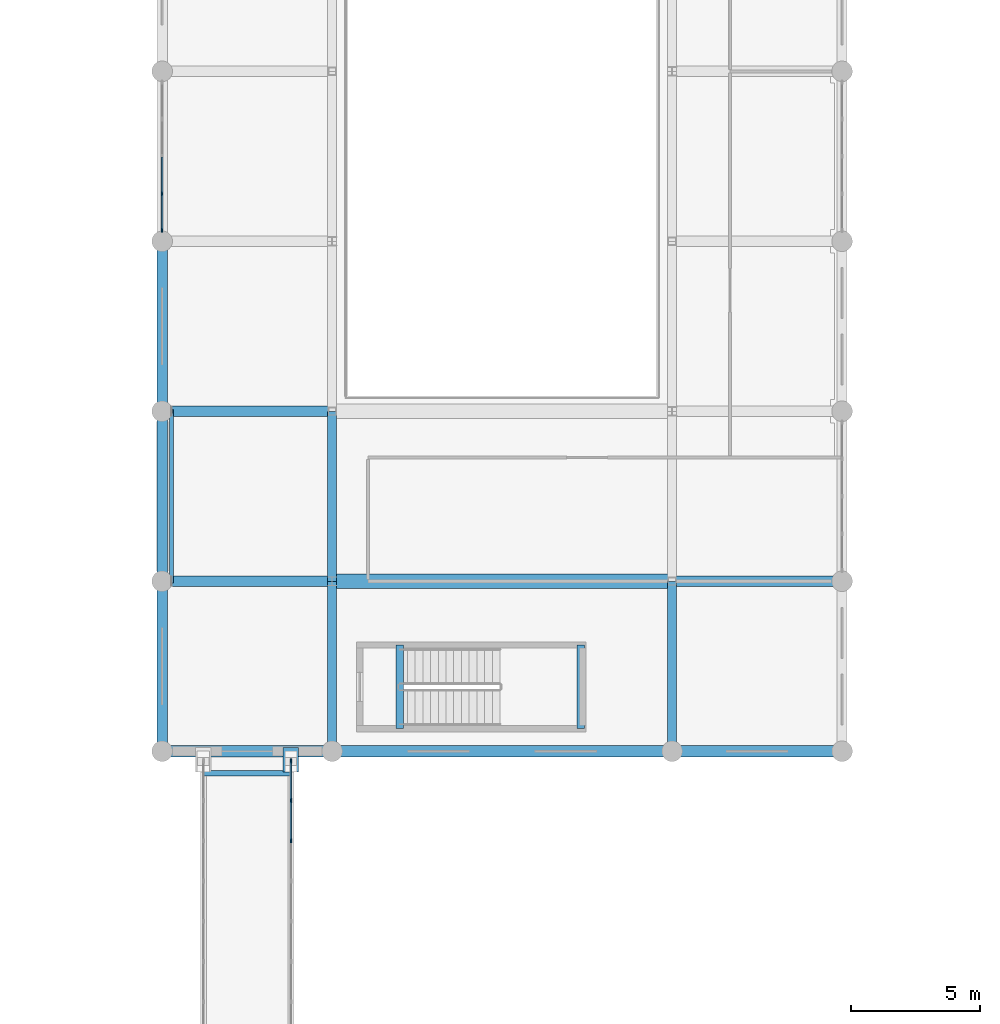
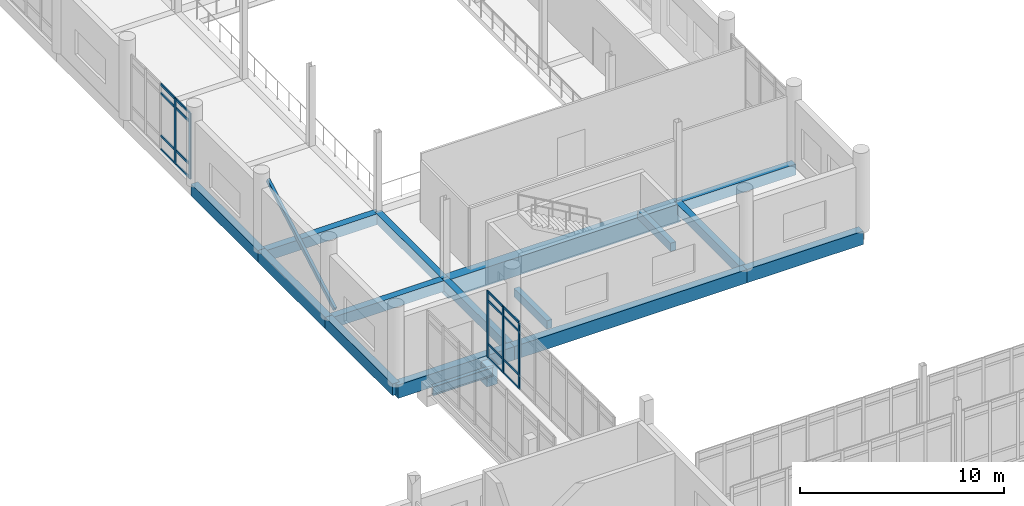
# One storey, part 13 of 101: 22 members, 17 beams, 2 elements without a shape of their own.
"""IFC4 building model written with IfcOpenShell, lengths in metres."""

import ifcopenshell
import ifcopenshell.guid

model = None  # the IFC model being written
_history = None  # IfcOwnerHistory: only IFC2X3 demands one
_inside = {}  # id of a spatial element -> (the spatial element, [elements in it])
_under = {}  # id of a project, library or spatial element -> (it, [spatial elements below it])
_declared = {}  # id of a project -> (the project, [libraries it declares])
_typed = {}  # id of a type object -> (the type object, [elements of that type])
_made_of = {}  # id of a material, layer set ... -> (it, [elements and type objects made of it])


def new_model(schema):
    """Start an empty IFC model of exactly this schema.

    Asked for "IFC4X3", IfcOpenShell would pick the latest addendum, in which some entities
    have other attributes; the version numbers below select the first issue.
    IFC2X3 requires an IfcOwnerHistory on every rooted entity: one is made here for all.
    """
    global model, _history
    if schema == "IFC4X3":
        model = ifcopenshell.file(schema_version=(4, 3, 0, 0))
    else:
        model = ifcopenshell.file(schema=schema)
    _inside.clear()
    _under.clear()
    _declared.clear()
    _typed.clear()
    _made_of.clear()
    _history = None
    if model.schema == "IFC2X3":
        org = make("IfcOrganization", Name="unknown")
        user = make(
            "IfcPersonAndOrganization",
            ThePerson=make("IfcPerson", FamilyName="unknown"),
            TheOrganization=org,
        )
        app = make(
            "IfcApplication",
            ApplicationDeveloper=org,
            Version="unknown",
            ApplicationFullName="unknown",
            ApplicationIdentifier="unknown",
        )
        _history = make(
            "IfcOwnerHistory",
            OwningUser=user,
            OwningApplication=app,
            ChangeAction="ADDED",
            CreationDate=0,
        )
    return model


def make(cls, **values):
    """One entity of the class cls with the attributes given. An attribute that is None is left unset."""
    return model.create_entity(
        cls, **{name: value for name, value in values.items() if value is not None}
    )


def rooted(cls, **values):
    """An entity with a GlobalId (a new one), such as an element, a storey or a relation."""
    return make(cls, GlobalId=ifcopenshell.guid.new(), OwnerHistory=_history, **values)


def si_unit(unit_type, name, prefix=None):
    """IfcSIUnit, for example si_unit("LENGTHUNIT", "METRE", prefix="MILLI")."""
    return make("IfcSIUnit", UnitType=unit_type, Prefix=prefix, Name=name)


def assignment(units):
    """IfcUnitAssignment: the units of a project."""
    return None if units is None else make("IfcUnitAssignment", Units=units)


def point(xyz):
    """IfcCartesianPoint."""
    return None if xyz is None else make("IfcCartesianPoint", Coordinates=xyz)


def direction(xyz):
    """IfcDirection."""
    return None if xyz is None else make("IfcDirection", DirectionRatios=xyz)


def frame(location, z_axis=None, x_axis=None):
    """IfcAxis2Placement3D, a coordinate frame: its origin and axes. An axis left out is left unset."""
    return make(
        "IfcAxis2Placement3D",
        Location=point(location),
        Axis=direction(z_axis),
        RefDirection=direction(x_axis),
    )


def frame_2d(location, x_axis=None):
    """IfcAxis2Placement2D, a coordinate frame in the plane: its origin and x axis."""
    return make(
        "IfcAxis2Placement2D", Location=point(location), RefDirection=direction(x_axis)
    )


def origin():
    """The frame at (0, 0, 0) with its axes left unset."""
    return frame((0.0, 0.0, 0.0))


def origin_2d():
    """The frame at (0, 0) in the plane with its x axis left unset."""
    return frame_2d((0.0, 0.0))


def place(relative_to, where):
    """IfcLocalPlacement: puts the frame where relative to a parent placement (None: the world)."""
    return make(
        "IfcLocalPlacement", PlacementRelTo=relative_to, RelativePlacement=where
    )


def context(
    kind, dimensions, precision=None, world=None, true_north=None, identifier=None
):
    """IfcGeometricRepresentationContext, for example the 3D "Model" context."""
    return make(
        "IfcGeometricRepresentationContext",
        ContextIdentifier=identifier,
        ContextType=kind,
        CoordinateSpaceDimension=dimensions,
        Precision=precision,
        WorldCoordinateSystem=world,
        TrueNorth=true_north,
    )


def subcontext(parent, identifier, kind, view, scale=None):
    """IfcGeometricRepresentationSubContext, for example "Body" below "Model"."""
    return make(
        "IfcGeometricRepresentationSubContext",
        ContextIdentifier=identifier,
        ContextType=kind,
        ParentContext=parent,
        TargetScale=scale,
        TargetView=view,
    )


def project(units=None, contexts=None):
    """IfcProject with its units and contexts."""
    return rooted(
        "IfcProject",
        Name="project",
        RepresentationContexts=contexts,
        UnitsInContext=assignment(units),
    )


def spatial(cls, under=None, at=None, **own):
    """A site, building, storey or space (cls), placed at a placement, below another one or the project."""
    s = rooted(cls, ObjectPlacement=at, **own)
    if under is not None:
        _under.setdefault(under.id(), (under, []))[1].append(s)
    return s


def profile(cls, at=None, kind="AREA", **sizes):
    """A parametric profile (cls). Its sizes go by their IFC names, for example OverallWidth=200.0."""
    return make(cls, ProfileType=kind, Position=at, **sizes)


def rectangle(**sizes):
    """IfcRectangleProfileDef."""
    return profile("IfcRectangleProfileDef", **sizes)


def hollow_rectangle(**sizes):
    """IfcRectangleHollowProfileDef."""
    return profile("IfcRectangleHollowProfileDef", **sizes)


def i_section(**sizes):
    """IfcIShapeProfileDef."""
    return profile("IfcIShapeProfileDef", **sizes)


def extrude(swept, where, along, depth):
    """IfcExtrudedAreaSolid: the profile swept, set in the frame where, extruded along a direction by depth."""
    return make(
        "IfcExtrudedAreaSolid",
        SweptArea=swept,
        Position=where,
        ExtrudedDirection=direction(along),
        Depth=depth,
    )


def shape(context_of_items, identifier, shape_type, items):
    """IfcShapeRepresentation: the items that make up one representation, for example the "Body"."""
    return make(
        "IfcShapeRepresentation",
        ContextOfItems=context_of_items,
        RepresentationIdentifier=identifier,
        RepresentationType=shape_type,
        Items=items,
    )


def material(Name=None, Category=None):
    """IfcMaterial."""
    return make("IfcMaterial", Name=Name, Category=Category)


def material_profile(
    of_material, cross_section, Name=None, Category=None, Priority=None
):
    """IfcMaterialProfile: a cross section and its material."""
    return make(
        "IfcMaterialProfile",
        Name=Name,
        Material=of_material,
        Profile=cross_section,
        Priority=Priority,
        Category=Category,
    )


def profile_set(profiles, Name=None, composite=None):
    """IfcMaterialProfileSet."""
    return make(
        "IfcMaterialProfileSet",
        Name=Name,
        MaterialProfiles=profiles,
        CompositeProfile=composite,
    )


def made_of(thing, what):
    """Note that an element or type object is made of a material, layer set ...; save() writes the relation."""
    if what is not None:
        _made_of.setdefault(what.id(), (what, []))[1].append(thing)
    return thing


def type_object(cls, material=None, **own):
    """A type object (cls), such as IfcWallType, which elements share."""
    return made_of(rooted(cls, **own), material)


def element(
    cls,
    number,
    at=None,
    inside=None,
    cuts=None,
    type_object=None,
    material=None,
    context=None,
    identifier="Body",
    shape_type=None,
    held_by="IfcProductDefinitionShape",
    body=None,
    shapes=None,
    **own,
):
    """One element of the class cls, such as IfcWall. Its Tag is "e" and its number.

    at: its placement. inside: the storey or other place that contains it. cuts: it is an
    opening in that element (IfcRelVoidsElement). A single representation is given by context,
    identifier, shape_type and body (its items); several are given by shapes. held_by: the class
    of the entity that holds the representations. save() writes the other relations.
    """
    e = rooted(cls, Tag="e%d" % number, ObjectPlacement=at, **own)
    if body is not None:
        shapes = [shape(context, identifier, shape_type, body)]
    if shapes is not None:
        e.Representation = make(held_by, Representations=shapes)
    if inside is not None:
        _inside.setdefault(inside.id(), (inside, []))[1].append(e)
    if cuts is not None:
        rooted(
            "IfcRelVoidsElement", RelatingBuildingElement=cuts, RelatedOpeningElement=e
        )
    if type_object is not None:
        _typed.setdefault(type_object.id(), (type_object, []))[1].append(e)
    return made_of(e, material)


def aggregate(whole, parts):
    """IfcRelAggregates: a whole, such as a stair, and the parts it consists of."""
    return rooted("IfcRelAggregates", RelatingObject=whole, RelatedObjects=parts)


def save(model, path):
    """Write the relations noted so far, then the file.

    IfcRelAggregates (storeys below a building ...), IfcRelContainedInSpatialStructure (elements
    in a storey), IfcRelDefinesByType, IfcRelAssociatesMaterial and IfcRelDeclares: one each for
    every whole, place, type object, material and project.
    """
    for whole, parts in _under.values():
        aggregate(whole, parts)
    for where, things in _inside.values():
        rooted(
            "IfcRelContainedInSpatialStructure",
            RelatedElements=things,
            RelatingStructure=where,
        )
    for kind, things in _typed.values():
        rooted("IfcRelDefinesByType", RelatedObjects=things, RelatingType=kind)
    for what, things in _made_of.values():
        rooted("IfcRelAssociatesMaterial", RelatedObjects=things, RelatingMaterial=what)
    for by, libraries in _declared.values():
        rooted("IfcRelDeclares", RelatingContext=by, RelatedDefinitions=libraries)
    model.write(path)


model = new_model("IFC4")

# Units and contexts
model_context = context("Model", 3, precision=1e-05, world=origin(), true_north=direction((0.0, 1.0)))
body_context = subcontext(model_context, "Body", "Model", "MODEL_VIEW")
ifc_project = project(units=[si_unit("LENGTHUNIT", "METRE"), si_unit("AREAUNIT", "SQUARE_METRE"), si_unit("VOLUMEUNIT", "CUBIC_METRE"), si_unit("PLANEANGLEUNIT", "RADIAN"), si_unit("MASSUNIT", "GRAM", prefix="KILO")], contexts=[model_context])

# Site, building, storey
site_placement = place(None, origin())
site = spatial("IfcSite", under=ifc_project, at=site_placement, CompositionType="ELEMENT")
building_placement = place(site_placement, origin())
building = spatial("IfcBuilding", under=site, at=building_placement, Name="Dornvale Research Institute", CompositionType="ELEMENT")
storey_placement = place(building_placement, frame((0.0, 0.0, 10.199951171875)))
storey = spatial("IfcBuildingStorey", under=building, at=storey_placement, Name="L02", CompositionType="ELEMENT", Elevation=10.199951171875)

# Beams
ifc_material_1 = material(Name="Concrete f'c 45 MPa (C35/45)", Category="concrete")
ifc_material_profile_1 = material_profile(ifc_material_1, rectangle(XDim=0.300048828125, YDim=0.5, at=origin_2d()), Name="RC 300x500")
ifc_profile_set_1 = profile_set([ifc_material_profile_1], Name="Concrete f'c 45 MPa (C35/45)")
beam_type_1 = type_object("IfcBeamType", Name="Beam_RC300x500_Trim", PredefinedType="BEAM", material=ifc_profile_set_1)
for number, where, z_axis, x_axis, name in (
    (1, (48.820068359375, 40.47998046875, -0.25), (0.0, 1.0, 0.0), (-1.0, 0.0, 0.0), "L02 ST-7 stair landing trimmer beam #96"),
    (2, (55.85009765625, 40.47998046875, 1.949951171875), (0.0, 1.0, 0.0), (-1.0, 0.0, 0.0), "L02 ST-7 half-landing support beam #101"),
):
    element("IfcBeam", number, at=place(storey_placement, frame(where, z_axis=z_axis, x_axis=x_axis)), inside=storey, type_object=beam_type_1, Name=name, PredefinedType="BEAM", context=body_context, shape_type="SweptSolid", body=[
        extrude(rectangle(XDim=0.300048828125, YDim=0.5, at=origin_2d()), origin(), (0.0, 0.0, 1.0), 3.239990234375),
    ])
ifc_material_2 = material(Name="Concrete f'c 45 MPa (C35/45)", Category="concrete")
ifc_material_profile_2 = material_profile(ifc_material_2, rectangle(XDim=0.35009765625, YDim=0.60009765625, at=origin_2d()), Name="RC 350x600")
ifc_profile_set_2 = profile_set([ifc_material_profile_2], Name="Concrete f'c 45 MPa (C35/45)")
beam_type_2 = type_object("IfcBeamType", Name="Beam_RC350x600_Floor", PredefinedType="BEAM", material=ifc_profile_set_2)
beam_1_placement = place(storey_placement, frame((46.199951171875, 39.60009765625, -0.300048828125), z_axis=(0.0, 1.0, 0.0), x_axis=(-1.0, 0.0, 0.0)))
element("IfcBeam", 3, at=beam_1_placement, inside=storey, type_object=beam_type_2, Name="L02 transverse girder #812", PredefinedType="BEAM", context=body_context, shape_type="SweptSolid", body=[
    extrude(rectangle(XDim=0.35009765625, YDim=0.60009765625, at=origin_2d()), origin(), (0.0, 0.0, 1.0), 6.599853515625),
])
beam_2_placement = place(storey_placement, frame((46.199951171875, 46.199951171875, -0.300048828125), z_axis=(0.0, 1.0, 0.0), x_axis=(-1.0, 0.0, 0.0)))
element("IfcBeam", 4, at=beam_2_placement, inside=storey, type_object=beam_type_2, Name="L02 transverse girder #813", PredefinedType="BEAM", context=body_context, shape_type="SweptSolid", body=[
    extrude(rectangle(XDim=0.35009765625, YDim=0.60009765625, at=origin_2d()), origin(), (0.0, 0.0, 1.0), 6.60009765625),
])
beam_3_placement = place(storey_placement, frame((59.39990234375, 39.60009765625, -0.300048828125), z_axis=(0.0, 1.0, 0.0), x_axis=(-1.0, 0.0, 0.0)))
element("IfcBeam", 5, at=beam_3_placement, inside=storey, type_object=beam_type_2, Name="L02 transverse girder #819", PredefinedType="BEAM", context=body_context, shape_type="SweptSolid", body=[
    extrude(rectangle(XDim=0.35009765625, YDim=0.60009765625, at=origin_2d()), origin(), (0.0, 0.0, 1.0), 6.599853515625),
])
ifc_material_3 = material(Name="Concrete f'c 45 MPa (C35/45)", Category="concrete")
ifc_material_profile_3 = material_profile(ifc_material_3, rectangle(XDim=0.39990234375, YDim=0.64990234375, at=origin_2d()), Name="RC 400x650")
ifc_profile_set_3 = profile_set([ifc_material_profile_3], Name="Concrete f'c 45 MPa (C35/45)")
beam_type_3 = type_object("IfcBeamType", Name="Beam_RC400x650_Floor", PredefinedType="BEAM", material=ifc_profile_set_3)
beam_4_placement = place(storey_placement, frame((39.60009765625, 46.199951171875, -0.324951171875), z_axis=(1.0, 0.0, 0.0), x_axis=(0.0, 1.0, 0.0)))
element("IfcBeam", 6, at=beam_4_placement, inside=storey, type_object=beam_type_3, Name="L02 primary girder #786", PredefinedType="BEAM", context=body_context, shape_type="SweptSolid", body=[
    extrude(rectangle(XDim=0.39990234375, YDim=0.64990234375, at=origin_2d()), origin(), (0.0, 0.0, 1.0), 6.599853515625),
])
beam_5_placement = place(storey_placement, frame((59.39990234375, 46.199951171875, -0.324951171875), z_axis=(1.0, 0.0, 0.0), x_axis=(0.0, 1.0, 0.0)))
element("IfcBeam", 7, at=beam_5_placement, inside=storey, type_object=beam_type_3, Name="L02 primary girder #788", PredefinedType="BEAM", context=body_context, shape_type="SweptSolid", body=[
    extrude(rectangle(XDim=0.39990234375, YDim=0.64990234375, at=origin_2d()), origin(), (0.0, 0.0, 1.0), 6.60009765625),
])
beam_6_placement = place(storey_placement, frame((39.60009765625, 52.800048828125, -0.324951171875), z_axis=(1.0, 0.0, 0.0), x_axis=(0.0, 1.0, 0.0)))
element("IfcBeam", 8, at=beam_6_placement, inside=storey, type_object=beam_type_3, Name="L02 primary girder #789", PredefinedType="BEAM", context=body_context, shape_type="SweptSolid", body=[
    extrude(rectangle(XDim=0.39990234375, YDim=0.64990234375, at=origin_2d()), origin(), (0.0, 0.0, 1.0), 6.599853515625),
])
ifc_material_4 = material(Name="Concrete f'c 45 MPa (C35/45)", Category="concrete")
ifc_material_profile_4 = material_profile(ifc_material_4, rectangle(XDim=0.550048828125, YDim=1.10009765625, at=origin_2d()), Name="RC 550x1100")
ifc_profile_set_4 = profile_set([ifc_material_profile_4], Name="Concrete f'c 45 MPa (C35/45)")
beam_type_4 = type_object("IfcBeamType", Name="Beam_RC550x1100_Girder", PredefinedType="BEAM", material=ifc_profile_set_4)
beam_7_placement = place(storey_placement, frame((46.199951171875, 46.199951171875, -0.550048828125), z_axis=(1.0, 0.0, 0.0), x_axis=(0.0, 1.0, 0.0)))
element("IfcBeam", 9, at=beam_7_placement, inside=storey, type_object=beam_type_4, Name="L02 primary girder #787", PredefinedType="BEAM", context=body_context, shape_type="SweptSolid", body=[
    extrude(rectangle(XDim=0.550048828125, YDim=1.10009765625, at=origin_2d()), origin(), (0.0, 0.0, 1.0), 13.199951171875),
])
ifc_material_5 = material(Name="Steel ASTM A992 Grade 50", Category="steel")
ifc_material_profile_5 = material_profile(ifc_material_5, i_section(OverallWidth=0.2099609375, OverallDepth=0.535888671875, WebThickness=0.010986328125, FlangeThickness=0.017333984375, at=origin_2d()), Name="W21X68")
ifc_profile_set_5 = profile_set([ifc_material_profile_5], Name="Steel ASTM A992 Grade 50")
beam_type_5 = type_object("IfcBeamType", Name="Beam_Steel_W21X68", PredefinedType="BEAM", material=ifc_profile_set_5)
beam_8_placement = place(storey_placement, frame((41.199951171875, 38.75, -0.488037109375), z_axis=(1.0, 0.0, 0.0), x_axis=(0.0, 1.0, 0.0)))
element("IfcBeam", 10, at=beam_8_placement, inside=storey, type_object=beam_type_5, Name="L02 BR-2 north cross beam #2014", PredefinedType="BEAM", context=body_context, shape_type="SweptSolid", body=[
    extrude(i_section(OverallWidth=0.2099609375, OverallDepth=0.535888671875, WebThickness=0.010986328125, FlangeThickness=0.017333984375, at=origin_2d()), origin(), (0.0, 0.0, 1.0), 3.400146484375),
])

# Member
ifc_material_6 = material(Name="Steel ASTM A500 Grade C", Category="steel")
ifc_material_profile_6 = material_profile(ifc_material_6, hollow_rectangle(XDim=0.152099609375, YDim=0.25390625, WallThickness=0.0087890625, at=origin_2d()), Name="HSS254X152X9.5")
ifc_profile_set_6 = profile_set([ifc_material_profile_6], Name="Steel ASTM A500 Grade C")
member_type_1 = type_object("IfcMemberType", Name="Brace_HSS254X152_Lateral", PredefinedType="BRACE", material=ifc_profile_set_6)
member_1_placement = place(storey_placement, frame((39.9599609375, 46.199951171875, 0.300048828125), z_axis=(0.0, 0.869459696941, 0.494003881964), x_axis=(-1.0, 0.0, 0.0)))
element("IfcMember", 11, at=member_1_placement, inside=storey, type_object=member_type_1, Name="L02 seismic diagonal brace #57", PredefinedType="BRACE", context=body_context, shape_type="SweptSolid", body=[
    extrude(hollow_rectangle(XDim=0.152099609375, YDim=0.25390625, WallThickness=0.0087890625, at=origin_2d()), origin(), (0.0, 0.0, 1.0), 7.591064453125),
])

# Curtain wall, members
ifc_material_7 = material(Name="Low-E Argon Double Insulating Glazing Unit", Category="glass")
curtain_wall_type_1 = type_object("IfcCurtainWallType", Name="UnitisedCurtainWall_V2_5810x3950", PredefinedType="USERDEFINED", material=ifc_material_7)
curtain_wall_1_placement = place(storey_placement, origin())
curtain_wall_1 = element("IfcCurtainWall", 12, at=curtain_wall_1_placement, inside=storey, type_object=curtain_wall_type_1, Name="L02 V2 unitised curtain wall CW-02 #10", ObjectType="UNITISED CURTAIN WALL", PredefinedType="USERDEFINED")
ifc_material_8 = material(Name="Anodized Aluminum AA 6063-T6 Thermally Broken Frame", Category="aluminium")
ifc_material_profile_7 = material_profile(ifc_material_8, rectangle(XDim=0.06494140625, YDim=0.1650390625, at=origin_2d()), Name="ALU MULLION 65x165")
ifc_profile_set_7 = profile_set([ifc_material_profile_7], Name="Anodized Aluminum AA 6063-T6 Thermally Broken Frame")
member_type_2 = type_object("IfcMemberType", Name="Mullion_Atrium_65x165", PredefinedType="MULLION", material=ifc_profile_set_7)
member_2_placement = place(storey_placement, frame((39.60009765625, 59.827392578125, 0.0), z_axis=(0.0, 0.0, 1.0), x_axis=(-1.0, 0.0, 0.0)))
member_2 = element("IfcMember", 13, at=member_2_placement, type_object=member_type_2, Name="CW-02 mullion 1", PredefinedType="MULLION", context=body_context, shape_type="SweptSolid", body=[
    extrude(rectangle(XDim=0.06494140625, YDim=0.1650390625, at=origin_2d()), origin(), (0.0, 0.0, 1.0), 3.949951171875),
])
member_3_placement = place(storey_placement, frame((39.60009765625, 61.24755859375, 0.0), z_axis=(0.0, 0.0, 1.0), x_axis=(-1.0, 0.0, 0.0)))
member_3 = element("IfcMember", 14, at=member_3_placement, type_object=member_type_2, Name="CW-02 mullion 2", PredefinedType="MULLION", context=body_context, shape_type="SweptSolid", body=[
    extrude(rectangle(XDim=0.06494140625, YDim=0.1650390625, at=origin_2d()), origin(), (0.0, 0.0, 1.0), 3.949951171875),
])

ifc_material_9 = material(Name="Low-E Argon Double Insulating Glazing Unit", Category="glass")
curtain_wall_type_2 = type_object("IfcCurtainWallType", Name="UnitisedCurtainWall_V2_12500x4000", PredefinedType="USERDEFINED", material=ifc_material_9)
curtain_wall_2_placement = place(storey_placement, origin())
curtain_wall_2 = element("IfcCurtainWall", 15, at=curtain_wall_2_placement, inside=storey, type_object=curtain_wall_type_2, Name="L02 V2 unitised curtain wall CW-39 #206", ObjectType="UNITISED CURTAIN WALL", PredefinedType="USERDEFINED")
member_4_placement = place(storey_placement, frame((44.60009765625, 39.217529296875, 0.0), z_axis=(0.0, 0.0, 1.0), x_axis=(1.0, 0.0, 0.0)))
member_4 = element("IfcMember", 16, at=member_4_placement, type_object=member_type_2, Name="CW-39 mullion 1", PredefinedType="MULLION", context=body_context, shape_type="SweptSolid", body=[
    extrude(rectangle(XDim=0.06494140625, YDim=0.1650390625, at=origin_2d()), origin(), (0.0, 0.0, 1.0), 4.0),
])
member_5_placement = place(storey_placement, frame((44.60009765625, 37.6875, 0.0), z_axis=(0.0, 0.0, 1.0), x_axis=(1.0, 0.0, 0.0)))
member_5 = element("IfcMember", 17, at=member_5_placement, type_object=member_type_2, Name="CW-39 mullion 2", PredefinedType="MULLION", context=body_context, shape_type="SweptSolid", body=[
    extrude(rectangle(XDim=0.06494140625, YDim=0.1650390625, at=origin_2d()), origin(), (0.0, 0.0, 1.0), 4.0),
])
member_6_placement = place(storey_placement, frame((44.60009765625, 36.125, 0.0), z_axis=(0.0, 0.0, 1.0), x_axis=(1.0, 0.0, 0.0)))
member_6 = element("IfcMember", 18, at=member_6_placement, type_object=member_type_2, Name="CW-39 mullion 3", PredefinedType="MULLION", context=body_context, shape_type="SweptSolid", body=[
    extrude(rectangle(XDim=0.06494140625, YDim=0.1650390625, at=origin_2d()), origin(), (0.0, 0.0, 1.0), 4.0),
])

# Beams
ifc_material_10 = material(Name="Concrete f'c 45 MPa (C35/45)", Category="concrete")
ifc_material_profile_8 = material_profile(ifc_material_10, rectangle(XDim=0.39990234375, YDim=0.699951171875, at=origin_2d()), Name="RC 400x700")
ifc_profile_set_8 = profile_set([ifc_material_profile_8], Name="Concrete f'c 45 MPa (C35/45)")
beam_type_6 = type_object("IfcBeamType", Name="Spandrel_RC400x700_Ext", PredefinedType="SPANDREL", material=ifc_profile_set_8)
beam_9_placement = place(storey_placement, frame((39.60009765625, 39.60009765625, -0.349853515625), z_axis=(0.0, 1.0, 0.0), x_axis=(-1.0, 0.0, 0.0)))
element("IfcBeam", 19, at=beam_9_placement, inside=storey, type_object=beam_type_6, Name="L02 perimeter spandrel #805", PredefinedType="SPANDREL", context=body_context, shape_type="SweptSolid", body=[
    extrude(rectangle(XDim=0.39990234375, YDim=0.699951171875, at=origin_2d()), origin(), (0.0, 0.0, 1.0), 6.599853515625),
])
beam_10_placement = place(storey_placement, frame((39.60009765625, 46.199951171875, -0.349853515625), z_axis=(0.0, 1.0, 0.0), x_axis=(-1.0, 0.0, 0.0)))
element("IfcBeam", 20, at=beam_10_placement, inside=storey, type_object=beam_type_6, Name="L02 perimeter spandrel #806", PredefinedType="SPANDREL", context=body_context, shape_type="SweptSolid", body=[
    extrude(rectangle(XDim=0.39990234375, YDim=0.699951171875, at=origin_2d()), origin(), (0.0, 0.0, 1.0), 6.60009765625),
])
beam_11_placement = place(storey_placement, frame((39.60009765625, 52.800048828125, -0.349853515625), z_axis=(0.0, 1.0, 0.0), x_axis=(-1.0, 0.0, 0.0)))
element("IfcBeam", 21, at=beam_11_placement, inside=storey, type_object=beam_type_6, Name="L02 perimeter spandrel #807", PredefinedType="SPANDREL", context=body_context, shape_type="SweptSolid", body=[
    extrude(rectangle(XDim=0.39990234375, YDim=0.699951171875, at=origin_2d()), origin(), (0.0, 0.0, 1.0), 6.599853515625),
])
ifc_material_11 = material(Name="Concrete f'c 45 MPa (C35/45)", Category="concrete")
ifc_material_profile_9 = material_profile(ifc_material_11, rectangle(XDim=0.449951171875, YDim=0.800048828125, at=origin_2d()), Name="RC 450x800")
ifc_profile_set_9 = profile_set([ifc_material_profile_9], Name="Concrete f'c 45 MPa (C35/45)")
beam_type_7 = type_object("IfcBeamType", Name="Spandrel_RC450x800_Ext", PredefinedType="SPANDREL", material=ifc_profile_set_9)
beam_12_placement = place(storey_placement, frame((39.60009765625, 39.60009765625, -0.39990234375), z_axis=(1.0, 0.0, 0.0), x_axis=(0.0, 1.0, 0.0)))
element("IfcBeam", 22, at=beam_12_placement, inside=storey, type_object=beam_type_7, Name="L02 perimeter spandrel #783", PredefinedType="SPANDREL", context=body_context, shape_type="SweptSolid", body=[
    extrude(rectangle(XDim=0.449951171875, YDim=0.800048828125, at=origin_2d()), origin(), (0.0, 0.0, 1.0), 6.599853515625),
])
beam_13_placement = place(storey_placement, frame((46.199951171875, 39.60009765625, -0.39990234375), z_axis=(1.0, 0.0, 0.0), x_axis=(0.0, 1.0, 0.0)))
element("IfcBeam", 23, at=beam_13_placement, inside=storey, type_object=beam_type_7, Name="L02 perimeter spandrel #784", PredefinedType="SPANDREL", context=body_context, shape_type="SweptSolid", body=[
    extrude(rectangle(XDim=0.449951171875, YDim=0.800048828125, at=origin_2d()), origin(), (0.0, 0.0, 1.0), 13.199951171875),
])
beam_14_placement = place(storey_placement, frame((59.39990234375, 39.60009765625, -0.39990234375), z_axis=(1.0, 0.0, 0.0), x_axis=(0.0, 1.0, 0.0)))
element("IfcBeam", 24, at=beam_14_placement, inside=storey, type_object=beam_type_7, Name="L02 perimeter spandrel #785", PredefinedType="SPANDREL", context=body_context, shape_type="SweptSolid", body=[
    extrude(rectangle(XDim=0.449951171875, YDim=0.800048828125, at=origin_2d()), origin(), (0.0, 0.0, 1.0), 6.60009765625),
])
ifc_material_12 = material(Name="Concrete f'c 50 MPa (C40/50)", Category="concrete")
ifc_material_profile_10 = material_profile(ifc_material_12, rectangle(XDim=0.60009765625, YDim=1.199951171875, at=origin_2d()), Name="RC 600x1200")
ifc_profile_set_10 = profile_set([ifc_material_profile_10], Name="Concrete f'c 50 MPa (C40/50)")
beam_type_8 = type_object("IfcBeamType", Name="TBeam_RC600x1200_Tie", PredefinedType="T_BEAM", material=ifc_profile_set_10)
beam_15_placement = place(storey_placement, frame((44.60009765625, 38.800048828125, -0.820068359375), z_axis=(0.0, 1.0, 0.0), x_axis=(-1.0, 0.0, 0.0)))
element("IfcBeam", 25, at=beam_15_placement, inside=storey, type_object=beam_type_8, Name="L02 BR-2 800mm sliding corbel seat #2016", PredefinedType="T_BEAM", context=body_context, shape_type="SweptSolid", body=[
    extrude(rectangle(XDim=0.60009765625, YDim=1.199951171875, at=origin_2d()), origin(), (0.0, 0.0, 1.0), 0.949951171875),
])

# Member
ifc_material_13 = material(Name="Anodized Aluminum AA 6063-T6 Thermally Broken Frame", Category="aluminium")
ifc_material_profile_11 = material_profile(ifc_material_13, rectangle(XDim=0.06494140625, YDim=0.135009765625, at=origin_2d()), Name="ALU TRANSOM 65x135")
ifc_profile_set_11 = profile_set([ifc_material_profile_11], Name="Anodized Aluminum AA 6063-T6 Thermally Broken Frame")
member_type_3 = type_object("IfcMemberType", Name="Transom_CW_65x135", PredefinedType="USERDEFINED", material=ifc_profile_set_11)
member_7_placement = place(storey_placement, frame((39.60009765625, 59.860107421875, 0.032470703125), z_axis=(0.0, 1.0, 0.0), x_axis=(-1.0, 0.0, 0.0)))
member_7 = element("IfcMember", 26, at=member_7_placement, type_object=member_type_3, Name="CW-02 transom 1.1", ObjectType="TRANSOM", PredefinedType="USERDEFINED", context=body_context, shape_type="SweptSolid", body=[
    extrude(rectangle(XDim=0.06494140625, YDim=0.135009765625, at=origin_2d()), origin(), (0.0, 0.0, 1.0), 1.35498046875),
])

member_8_placement = place(storey_placement, frame((39.60009765625, 59.860107421875, 0.85009765625), z_axis=(0.0, 1.0, 0.0), x_axis=(-1.0, 0.0, 0.0)))
member_8 = element("IfcMember", 27, at=member_8_placement, type_object=member_type_3, Name="CW-02 transom 1.2", ObjectType="TRANSOM", PredefinedType="USERDEFINED", context=body_context, shape_type="SweptSolid", body=[
    extrude(rectangle(XDim=0.06494140625, YDim=0.135009765625, at=origin_2d()), origin(), (0.0, 0.0, 1.0), 1.35498046875),
])

member_9_placement = place(storey_placement, frame((39.60009765625, 59.860107421875, 3.400146484375), z_axis=(0.0, 1.0, 0.0), x_axis=(-1.0, 0.0, 0.0)))
member_9 = element("IfcMember", 28, at=member_9_placement, type_object=member_type_3, Name="CW-02 transom 1.3", ObjectType="TRANSOM", PredefinedType="USERDEFINED", context=body_context, shape_type="SweptSolid", body=[
    extrude(rectangle(XDim=0.06494140625, YDim=0.135009765625, at=origin_2d()), origin(), (0.0, 0.0, 1.0), 1.35498046875),
])

member_10_placement = place(storey_placement, frame((39.60009765625, 59.860107421875, 3.91748046875), z_axis=(0.0, 1.0, 0.0), x_axis=(-1.0, 0.0, 0.0)))
member_10 = element("IfcMember", 29, at=member_10_placement, type_object=member_type_3, Name="CW-02 transom 1.4", ObjectType="TRANSOM", PredefinedType="USERDEFINED", context=body_context, shape_type="SweptSolid", body=[
    extrude(rectangle(XDim=0.06494140625, YDim=0.135009765625, at=origin_2d()), origin(), (0.0, 0.0, 1.0), 1.35498046875),
])

member_11_placement = place(storey_placement, frame((39.60009765625, 61.280029296875, 0.032470703125), z_axis=(0.0, 1.0, 0.0), x_axis=(-1.0, 0.0, 0.0)))
member_11 = element("IfcMember", 30, at=member_11_placement, type_object=member_type_3, Name="CW-02 transom 2.1", ObjectType="TRANSOM", PredefinedType="USERDEFINED", context=body_context, shape_type="SweptSolid", body=[
    extrude(rectangle(XDim=0.06494140625, YDim=0.135009765625, at=origin_2d()), origin(), (0.0, 0.0, 1.0), 1.387451171875),
])

member_12_placement = place(storey_placement, frame((39.60009765625, 61.280029296875, 0.85009765625), z_axis=(0.0, 1.0, 0.0), x_axis=(-1.0, 0.0, 0.0)))
member_12 = element("IfcMember", 31, at=member_12_placement, type_object=member_type_3, Name="CW-02 transom 2.2", ObjectType="TRANSOM", PredefinedType="USERDEFINED", context=body_context, shape_type="SweptSolid", body=[
    extrude(rectangle(XDim=0.06494140625, YDim=0.135009765625, at=origin_2d()), origin(), (0.0, 0.0, 1.0), 1.387451171875),
])

member_13_placement = place(storey_placement, frame((39.60009765625, 61.280029296875, 3.400146484375), z_axis=(0.0, 1.0, 0.0), x_axis=(-1.0, 0.0, 0.0)))
member_13 = element("IfcMember", 32, at=member_13_placement, type_object=member_type_3, Name="CW-02 transom 2.3", ObjectType="TRANSOM", PredefinedType="USERDEFINED", context=body_context, shape_type="SweptSolid", body=[
    extrude(rectangle(XDim=0.06494140625, YDim=0.135009765625, at=origin_2d()), origin(), (0.0, 0.0, 1.0), 1.387451171875),
])

member_14_placement = place(storey_placement, frame((39.60009765625, 61.280029296875, 3.91748046875), z_axis=(0.0, 1.0, 0.0), x_axis=(-1.0, 0.0, 0.0)))
member_14 = element("IfcMember", 33, at=member_14_placement, type_object=member_type_3, Name="CW-02 transom 2.4", ObjectType="TRANSOM", PredefinedType="USERDEFINED", context=body_context, shape_type="SweptSolid", body=[
    extrude(rectangle(XDim=0.06494140625, YDim=0.135009765625, at=origin_2d()), origin(), (0.0, 0.0, 1.0), 1.387451171875),
])

aggregate(curtain_wall_1, [member_2, member_3, member_7, member_8, member_9, member_10, member_11, member_12, member_13, member_14])

member_15_placement = place(storey_placement, frame((44.60009765625, 39.18505859375, 0.032470703125), z_axis=(0.0, -1.0, 0.0), x_axis=(1.0, 0.0, 0.0)))
member_15 = element("IfcMember", 34, at=member_15_placement, type_object=member_type_3, Name="CW-39 transom 1.1", ObjectType="TRANSOM", PredefinedType="USERDEFINED", context=body_context, shape_type="SweptSolid", body=[
    extrude(rectangle(XDim=0.06494140625, YDim=0.135009765625, at=origin_2d()), origin(), (0.0, 0.0, 1.0), 1.465087890625),
])

member_16_placement = place(storey_placement, frame((44.60009765625, 39.18505859375, 0.85009765625), z_axis=(0.0, -1.0, 0.0), x_axis=(1.0, 0.0, 0.0)))
member_16 = element("IfcMember", 35, at=member_16_placement, type_object=member_type_3, Name="CW-39 transom 1.2", ObjectType="TRANSOM", PredefinedType="USERDEFINED", context=body_context, shape_type="SweptSolid", body=[
    extrude(rectangle(XDim=0.06494140625, YDim=0.135009765625, at=origin_2d()), origin(), (0.0, 0.0, 1.0), 1.465087890625),
])

member_17_placement = place(storey_placement, frame((44.60009765625, 39.18505859375, 3.449951171875), z_axis=(0.0, -1.0, 0.0), x_axis=(1.0, 0.0, 0.0)))
member_17 = element("IfcMember", 36, at=member_17_placement, type_object=member_type_3, Name="CW-39 transom 1.3", ObjectType="TRANSOM", PredefinedType="USERDEFINED", context=body_context, shape_type="SweptSolid", body=[
    extrude(rectangle(XDim=0.06494140625, YDim=0.135009765625, at=origin_2d()), origin(), (0.0, 0.0, 1.0), 1.465087890625),
])

member_18_placement = place(storey_placement, frame((44.60009765625, 39.18505859375, 3.967529296875), z_axis=(0.0, -1.0, 0.0), x_axis=(1.0, 0.0, 0.0)))
member_18 = element("IfcMember", 37, at=member_18_placement, type_object=member_type_3, Name="CW-39 transom 1.4", ObjectType="TRANSOM", PredefinedType="USERDEFINED", context=body_context, shape_type="SweptSolid", body=[
    extrude(rectangle(XDim=0.06494140625, YDim=0.135009765625, at=origin_2d()), origin(), (0.0, 0.0, 1.0), 1.465087890625),
])

member_19_placement = place(storey_placement, frame((44.60009765625, 37.655029296875, 0.032470703125), z_axis=(0.0, -1.0, 0.0), x_axis=(1.0, 0.0, 0.0)))
member_19 = element("IfcMember", 38, at=member_19_placement, type_object=member_type_3, Name="CW-39 transom 2.1", ObjectType="TRANSOM", PredefinedType="USERDEFINED", context=body_context, shape_type="SweptSolid", body=[
    extrude(rectangle(XDim=0.06494140625, YDim=0.135009765625, at=origin_2d()), origin(), (0.0, 0.0, 1.0), 1.49755859375),
])

member_20_placement = place(storey_placement, frame((44.60009765625, 37.655029296875, 0.85009765625), z_axis=(0.0, -1.0, 0.0), x_axis=(1.0, 0.0, 0.0)))
member_20 = element("IfcMember", 39, at=member_20_placement, type_object=member_type_3, Name="CW-39 transom 2.2", ObjectType="TRANSOM", PredefinedType="USERDEFINED", context=body_context, shape_type="SweptSolid", body=[
    extrude(rectangle(XDim=0.06494140625, YDim=0.135009765625, at=origin_2d()), origin(), (0.0, 0.0, 1.0), 1.49755859375),
])

member_21_placement = place(storey_placement, frame((44.60009765625, 37.655029296875, 3.449951171875), z_axis=(0.0, -1.0, 0.0), x_axis=(1.0, 0.0, 0.0)))
member_21 = element("IfcMember", 40, at=member_21_placement, type_object=member_type_3, Name="CW-39 transom 2.3", ObjectType="TRANSOM", PredefinedType="USERDEFINED", context=body_context, shape_type="SweptSolid", body=[
    extrude(rectangle(XDim=0.06494140625, YDim=0.135009765625, at=origin_2d()), origin(), (0.0, 0.0, 1.0), 1.49755859375),
])

member_22_placement = place(storey_placement, frame((44.60009765625, 37.655029296875, 3.967529296875), z_axis=(0.0, -1.0, 0.0), x_axis=(1.0, 0.0, 0.0)))
member_22 = element("IfcMember", 41, at=member_22_placement, type_object=member_type_3, Name="CW-39 transom 2.4", ObjectType="TRANSOM", PredefinedType="USERDEFINED", context=body_context, shape_type="SweptSolid", body=[
    extrude(rectangle(XDim=0.06494140625, YDim=0.135009765625, at=origin_2d()), origin(), (0.0, 0.0, 1.0), 1.49755859375),
])

aggregate(curtain_wall_2, [member_4, member_5, member_6, member_15, member_16, member_17, member_18, member_19, member_20, member_21, member_22])

save(model, "model.ifc")
